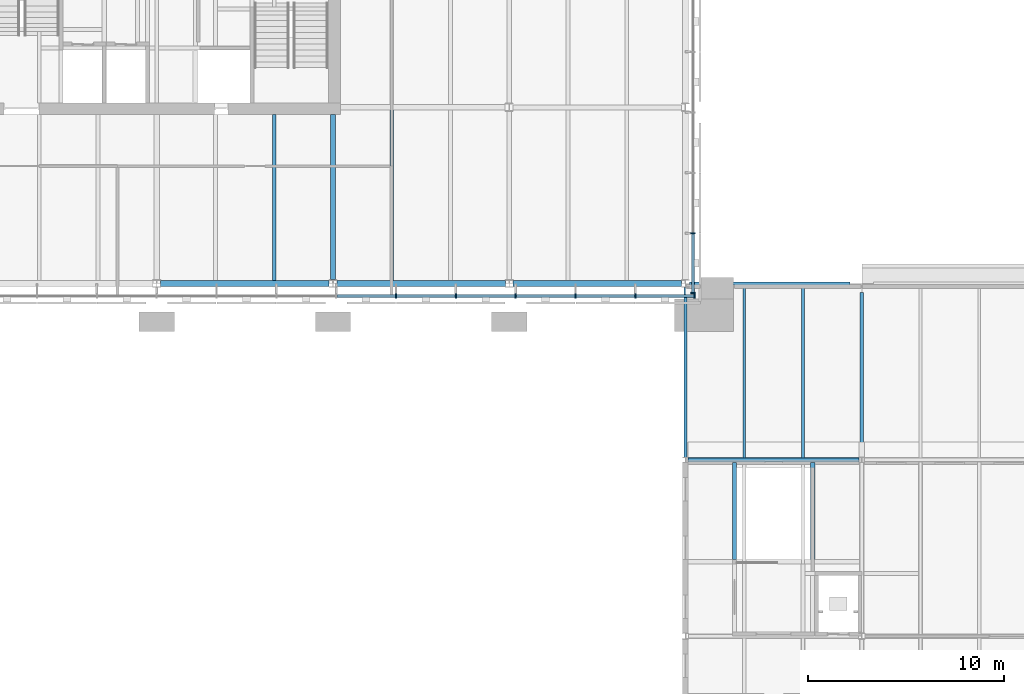
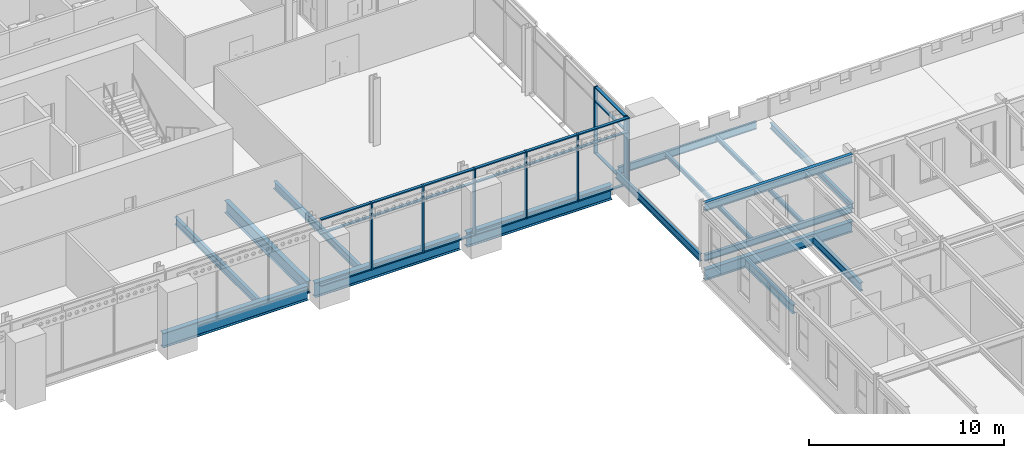
# One storey, part 32 of 123: 29 members, 16 beams, 2 elements without a shape of their own.
"""IFC4 building model written with IfcOpenShell, lengths in metres."""

from ifc_helpers import new_model, si_unit, direction, frame, origin, origin_2d, place, context, subcontext, project, spatial, rectangle, i_section, extrude, material, material_profile, profile_set, type_object, element, aggregate, save


model = new_model("IFC4")

# Units and contexts
model_context = context("Model", 3, precision=1e-05, world=origin(), true_north=direction((0.0, 1.0)))
body_context = subcontext(model_context, "Body", "Model", "MODEL_VIEW")
ifc_project = project(units=[si_unit("LENGTHUNIT", "METRE"), si_unit("AREAUNIT", "SQUARE_METRE"), si_unit("VOLUMEUNIT", "CUBIC_METRE"), si_unit("PLANEANGLEUNIT", "RADIAN"), si_unit("MASSUNIT", "GRAM", prefix="KILO")], contexts=[model_context])

# Site, building, storey
site_placement = place(None, origin())
site = spatial("IfcSite", under=ifc_project, at=site_placement, CompositionType="ELEMENT")
building_placement = place(site_placement, origin())
building = spatial("IfcBuilding", under=site, at=building_placement, Name="Baradari Gate Terminus", CompositionType="ELEMENT")
storey_placement = place(building_placement, frame((0.0, 0.0, 7.5)))
storey = spatial("IfcBuildingStorey", under=building, at=storey_placement, Name="L01", CompositionType="ELEMENT", Elevation=7.5)

# Beams
ifc_material_1 = material(Name="Steel S355", Category="steel")
ifc_material_profile_1 = material_profile(ifc_material_1, i_section(OverallWidth=0.17138671875, OverallDepth=0.35498046875, WebThickness=0.00732421875, FlangeThickness=0.011474609375, FilletRadius=0.01025390625, at=origin_2d()), Name="UB 356x171x51")
ifc_profile_set_1 = profile_set([ifc_material_profile_1], Name="Steel S355")
beam_type_1 = type_object("IfcBeamType", Name="Canopy cross beam B61 UB 356x171x51", PredefinedType="BEAM", material=ifc_profile_set_1)
beam_1_placement = place(storey_placement, frame((72.0, 108.130126953125, 0.6025390625), z_axis=(0.0, 1.0, 0.0), x_axis=(-1.0, 0.0, 0.0)))
element("IfcBeam", 1, at=beam_1_placement, inside=storey, type_object=beam_type_1, Name="Canopy cross beam B61 9:108.13-116.55 L01", PredefinedType="BEAM", context=body_context, shape_type="SweptSolid", body=[
    extrude(i_section(OverallWidth=0.17138671875, OverallDepth=0.35498046875, WebThickness=0.00732421875, FlangeThickness=0.011474609375, FilletRadius=0.01025390625, at=origin_2d()), origin(), (0.0, 0.0, 1.0), 8.419921875),
])
ifc_material_2 = material(Name="Steel S355", Category="steel")
ifc_material_profile_2 = material_profile(ifc_material_2, i_section(OverallWidth=0.1552734375, OverallDepth=0.4658203125, WebThickness=0.010498046875, FlangeThickness=0.018798828125, FilletRadius=0.01025390625, at=origin_2d()), Name="UB 457x152x82")
ifc_profile_set_2 = profile_set([ifc_material_profile_2], Name="Steel S355")
beam_type_2 = type_object("IfcBeamType", Name="Canopy edge beam B59 UB 457x152x82", PredefinedType="BEAM", material=ifc_profile_set_2)
beam_2_placement = place(storey_placement, frame((63.199462890625, 117.0, 0.547119140625), z_axis=(1.0, 0.0, 0.0), x_axis=(0.0, 1.0, 0.0)))
element("IfcBeam", 2, at=beam_2_placement, inside=storey, type_object=beam_type_2, Name="Canopy edge beam B59 P:63.2-71.4 L01", PredefinedType="BEAM", context=body_context, shape_type="SweptSolid", body=[
    extrude(i_section(OverallWidth=0.1552734375, OverallDepth=0.4658203125, WebThickness=0.010498046875, FlangeThickness=0.018798828125, FilletRadius=0.01025390625, at=origin_2d()), origin(), (0.0, 0.0, 1.0), 8.200439453125),
])
beam_3_placement = place(storey_placement, frame((63.0, 108.130126953125, 0.547119140625), z_axis=(0.0, 1.0, 0.0), x_axis=(-1.0, 0.0, 0.0)))
element("IfcBeam", 3, at=beam_3_placement, inside=storey, type_object=beam_type_2, Name="Canopy edge beam B59 8:108.13-116.803 L01", PredefinedType="BEAM", context=body_context, shape_type="SweptSolid", body=[
    extrude(i_section(OverallWidth=0.1552734375, OverallDepth=0.4658203125, WebThickness=0.010498046875, FlangeThickness=0.018798828125, FilletRadius=0.01025390625, at=origin_2d()), origin(), (0.0, 0.0, 1.0), 8.673095703125),
])
ifc_material_3 = material(Name="Steel S355", Category="steel")
ifc_material_profile_3 = material_profile(ifc_material_3, i_section(OverallWidth=0.177978515625, OverallDepth=0.406494140625, WebThickness=0.0078125, FlangeThickness=0.0126953125, FilletRadius=0.01025390625, at=origin_2d()), Name="UB 406x178x60")
ifc_profile_set_3 = profile_set([ifc_material_profile_3], Name="Steel S355")
beam_type_3 = type_object("IfcBeamType", Name="Canopy girder B58 UB 406x178x60", PredefinedType="BEAM", material=ifc_profile_set_3)
beam_4_placement = place(storey_placement, frame((63.128173828125, 108.0, 0.576904296875), z_axis=(1.0, 0.0, 0.0), x_axis=(0.0, 1.0, 0.0)))
element("IfcBeam", 4, at=beam_4_placement, inside=storey, type_object=beam_type_3, Name="Canopy girder B58 N:63.128-71.872 L01", PredefinedType="BEAM", context=body_context, shape_type="SweptSolid", body=[
    extrude(i_section(OverallWidth=0.177978515625, OverallDepth=0.406494140625, WebThickness=0.0078125, FlangeThickness=0.0126953125, FilletRadius=0.01025390625, at=origin_2d()), origin(), (0.0, 0.0, 1.0), 8.74365234375),
])
ifc_material_4 = material(Name="Steel S355", Category="steel")
ifc_material_profile_4 = material_profile(ifc_material_4, i_section(OverallWidth=0.14599609375, OverallDepth=0.25146484375, WebThickness=0.006103515625, FlangeThickness=0.008544921875, FilletRadius=0.007568359375, at=origin_2d()), Name="UB 254x146x31")
ifc_profile_set_4 = profile_set([ifc_material_profile_4], Name="Steel S355")
beam_type_4 = type_object("IfcBeamType", Name="Canopy secondary beam B60 UB 254x146x31", PredefinedType="BEAM", material=ifc_profile_set_4)
for number, where, z_axis, x_axis, name in (
    (5, (66.0, 108.0888671875, 0.654296875), (0.0, 1.0, 0.0), (-1.0, 0.0, 0.0), "Canopy secondary beam B60 66:108.089-116.922 L01"),
    (6, (69.0, 108.0888671875, 0.654296875), (0.0, 1.0, 0.0), (-1.0, 0.0, 0.0), "Canopy secondary beam B60 69:108.089-116.922 L01"),
):
    element("IfcBeam", number, at=place(storey_placement, frame(where, z_axis=z_axis, x_axis=x_axis)), inside=storey, type_object=beam_type_4, Name=name, PredefinedType="BEAM", context=body_context, shape_type="SweptSolid", body=[
        extrude(i_section(OverallWidth=0.14599609375, OverallDepth=0.25146484375, WebThickness=0.006103515625, FlangeThickness=0.008544921875, FilletRadius=0.007568359375, at=origin_2d()), origin(), (0.0, 0.0, 1.0), 8.83349609375),
    ])

# Curtain wall, members
ifc_material_5 = material(Name="Aluminium 6063-T6", Category="aluminium")
curtain_wall_type = type_object("IfcCurtainWallType", Name="Curtain wall CW-9 block gallery storey", PredefinedType="NOTDEFINED", material=ifc_material_5)
curtain_wall_1_placement = place(storey_placement, origin())
curtain_wall_1 = element("IfcCurtainWall", 7, at=curtain_wall_1_placement, inside=storey, type_object=curtain_wall_type, Name="Curtain wall CW-9 Operations block S face L01", PredefinedType="NOTDEFINED")
ifc_material_6 = material(Name="Aluminium 6063-T6", Category="aluminium")
ifc_material_profile_5 = material_profile(ifc_material_6, rectangle(XDim=0.22509765625, YDim=0.070068359375, at=origin_2d()), Name="CM-9 70X225")
ifc_profile_set_5 = profile_set([ifc_material_profile_5], Name="Aluminium 6063-T6")
member_type_1 = type_object("IfcMemberType", Name="Curtain wall mullion CM-9 70x225", PredefinedType="MULLION", material=ifc_profile_set_5)
member_1_placement = place(storey_placement, frame((48.219970703125, 116.367431640625, 0.0), z_axis=(0.0, 0.0, 1.0), x_axis=(0.0, 1.0, 0.0)))
member_1 = element("IfcMember", 8, at=member_1_placement, type_object=member_type_1, Name="CW-9 mullion 14", PredefinedType="MULLION", context=body_context, shape_type="SweptSolid", body=[
    extrude(rectangle(XDim=0.22509765625, YDim=0.070068359375, at=origin_2d()), origin(), (0.0, 0.0, 1.0), 4.199951171875),
])
member_2_placement = place(storey_placement, frame((51.27490234375, 116.367431640625, 0.0), z_axis=(0.0, 0.0, 1.0), x_axis=(0.0, 1.0, 0.0)))
member_2 = element("IfcMember", 9, at=member_2_placement, type_object=member_type_1, Name="CW-9 mullion 15", PredefinedType="MULLION", context=body_context, shape_type="SweptSolid", body=[
    extrude(rectangle(XDim=0.22509765625, YDim=0.070068359375, at=origin_2d()), origin(), (0.0, 0.0, 1.0), 4.199951171875),
])
member_3_placement = place(storey_placement, frame((54.330078125, 116.367431640625, 0.0), z_axis=(0.0, 0.0, 1.0), x_axis=(0.0, 1.0, 0.0)))
member_3 = element("IfcMember", 10, at=member_3_placement, type_object=member_type_1, Name="CW-9 mullion 16", PredefinedType="MULLION", context=body_context, shape_type="SweptSolid", body=[
    extrude(rectangle(XDim=0.22509765625, YDim=0.070068359375, at=origin_2d()), origin(), (0.0, 0.0, 1.0), 4.199951171875),
])
member_4_placement = place(storey_placement, frame((57.385009765625, 116.367431640625, 0.0), z_axis=(0.0, 0.0, 1.0), x_axis=(0.0, 1.0, 0.0)))
member_4 = element("IfcMember", 11, at=member_4_placement, type_object=member_type_1, Name="CW-9 mullion 17", PredefinedType="MULLION", context=body_context, shape_type="SweptSolid", body=[
    extrude(rectangle(XDim=0.22509765625, YDim=0.070068359375, at=origin_2d()), origin(), (0.0, 0.0, 1.0), 4.199951171875),
])
member_5_placement = place(storey_placement, frame((60.43994140625, 116.367431640625, 0.0), z_axis=(0.0, 0.0, 1.0), x_axis=(0.0, 1.0, 0.0)))
member_5 = element("IfcMember", 12, at=member_5_placement, type_object=member_type_1, Name="CW-9 mullion 18", PredefinedType="MULLION", context=body_context, shape_type="SweptSolid", body=[
    extrude(rectangle(XDim=0.22509765625, YDim=0.070068359375, at=origin_2d()), origin(), (0.0, 0.0, 1.0), 4.199951171875),
])
member_6_placement = place(storey_placement, frame((63.4599609375, 116.367431640625, 0.0), z_axis=(0.0, 0.0, 1.0), x_axis=(0.0, 1.0, 0.0)))
member_6 = element("IfcMember", 13, at=member_6_placement, type_object=member_type_1, Name="CW-9 mullion 19", PredefinedType="MULLION", context=body_context, shape_type="SweptSolid", body=[
    extrude(rectangle(XDim=0.22509765625, YDim=0.070068359375, at=origin_2d()), origin(), (0.0, 0.0, 1.0), 4.199951171875),
])

curtain_wall_2_placement = place(storey_placement, origin())
curtain_wall_2 = element("IfcCurtainWall", 14, at=curtain_wall_2_placement, inside=storey, type_object=curtain_wall_type, Name="Curtain wall CW-9 Operations block E face L01", PredefinedType="NOTDEFINED")
member_7_placement = place(storey_placement, frame((63.382568359375, 116.514892578125, 0.0), z_axis=(0.0, 0.0, 1.0), x_axis=(-1.0, 0.0, 0.0)))
member_7 = element("IfcMember", 15, at=member_7_placement, type_object=member_type_1, Name="CW-9 mullion 1", PredefinedType="MULLION", context=body_context, shape_type="SweptSolid", body=[
    extrude(rectangle(XDim=0.22509765625, YDim=0.070068359375, at=origin_2d()), origin(), (0.0, 0.0, 1.0), 4.199951171875),
])
member_8_placement = place(storey_placement, frame((63.382568359375, 119.56787109375, 0.0), z_axis=(0.0, 0.0, 1.0), x_axis=(-1.0, 0.0, 0.0)))
member_8 = element("IfcMember", 16, at=member_8_placement, type_object=member_type_1, Name="CW-9 mullion 2", PredefinedType="MULLION", context=body_context, shape_type="SweptSolid", body=[
    extrude(rectangle(XDim=0.22509765625, YDim=0.070068359375, at=origin_2d()), origin(), (0.0, 0.0, 1.0), 4.199951171875),
])

# Member
ifc_material_7 = material(Name="Aluminium 6063-T6", Category="aluminium")
ifc_material_profile_6 = material_profile(ifc_material_7, rectangle(XDim=0.1650390625, YDim=0.070068359375, at=origin_2d()), Name="CT-9 70X165")
ifc_profile_set_6 = profile_set([ifc_material_profile_6], Name="Aluminium 6063-T6")
member_type_2 = type_object("IfcMemberType", Name="Curtain wall transom CT-9 70x165", PredefinedType="USERDEFINED", material=ifc_profile_set_6)
member_9_placement = place(storey_placement, frame((45.199951171875, 116.367431640625, 0.034912109375), z_axis=(1.0, 0.0, 0.0), x_axis=(0.0, 1.0, 0.0)))
member_9 = element("IfcMember", 17, at=member_9_placement, type_object=member_type_2, Name="CW-9 transom 13.1", ObjectType="TRANSOM", PredefinedType="USERDEFINED", context=body_context, shape_type="SweptSolid", body=[
    extrude(rectangle(XDim=0.1650390625, YDim=0.070068359375, at=origin_2d()), origin(), (0.0, 0.0, 1.0), 2.985107421875),
])

member_10_placement = place(storey_placement, frame((45.199951171875, 116.367431640625, 3.300048828125), z_axis=(1.0, 0.0, 0.0), x_axis=(0.0, 1.0, 0.0)))
member_10 = element("IfcMember", 18, at=member_10_placement, type_object=member_type_2, Name="CW-9 transom 13.2", ObjectType="TRANSOM", PredefinedType="USERDEFINED", context=body_context, shape_type="SweptSolid", body=[
    extrude(rectangle(XDim=0.1650390625, YDim=0.070068359375, at=origin_2d()), origin(), (0.0, 0.0, 1.0), 2.985107421875),
])

member_11_placement = place(storey_placement, frame((45.199951171875, 116.367431640625, 4.1650390625), z_axis=(1.0, 0.0, 0.0), x_axis=(0.0, 1.0, 0.0)))
member_11 = element("IfcMember", 19, at=member_11_placement, type_object=member_type_2, Name="CW-9 transom 13.3", ObjectType="TRANSOM", PredefinedType="USERDEFINED", context=body_context, shape_type="SweptSolid", body=[
    extrude(rectangle(XDim=0.1650390625, YDim=0.070068359375, at=origin_2d()), origin(), (0.0, 0.0, 1.0), 2.985107421875),
])

member_12_placement = place(storey_placement, frame((48.2548828125, 116.367431640625, 0.034912109375), z_axis=(1.0, 0.0, 0.0), x_axis=(0.0, 1.0, 0.0)))
member_12 = element("IfcMember", 20, at=member_12_placement, type_object=member_type_2, Name="CW-9 transom 14.1", ObjectType="TRANSOM", PredefinedType="USERDEFINED", context=body_context, shape_type="SweptSolid", body=[
    extrude(rectangle(XDim=0.1650390625, YDim=0.070068359375, at=origin_2d()), origin(), (0.0, 0.0, 1.0), 2.985107421875),
])

member_13_placement = place(storey_placement, frame((48.2548828125, 116.367431640625, 3.300048828125), z_axis=(1.0, 0.0, 0.0), x_axis=(0.0, 1.0, 0.0)))
member_13 = element("IfcMember", 21, at=member_13_placement, type_object=member_type_2, Name="CW-9 transom 14.2", ObjectType="TRANSOM", PredefinedType="USERDEFINED", context=body_context, shape_type="SweptSolid", body=[
    extrude(rectangle(XDim=0.1650390625, YDim=0.070068359375, at=origin_2d()), origin(), (0.0, 0.0, 1.0), 2.985107421875),
])

member_14_placement = place(storey_placement, frame((48.2548828125, 116.367431640625, 4.1650390625), z_axis=(1.0, 0.0, 0.0), x_axis=(0.0, 1.0, 0.0)))
member_14 = element("IfcMember", 22, at=member_14_placement, type_object=member_type_2, Name="CW-9 transom 14.3", ObjectType="TRANSOM", PredefinedType="USERDEFINED", context=body_context, shape_type="SweptSolid", body=[
    extrude(rectangle(XDim=0.1650390625, YDim=0.070068359375, at=origin_2d()), origin(), (0.0, 0.0, 1.0), 2.985107421875),
])

member_15_placement = place(storey_placement, frame((51.31005859375, 116.367431640625, 0.034912109375), z_axis=(1.0, 0.0, 0.0), x_axis=(0.0, 1.0, 0.0)))
member_15 = element("IfcMember", 23, at=member_15_placement, type_object=member_type_2, Name="CW-9 transom 15.1", ObjectType="TRANSOM", PredefinedType="USERDEFINED", context=body_context, shape_type="SweptSolid", body=[
    extrude(rectangle(XDim=0.1650390625, YDim=0.070068359375, at=origin_2d()), origin(), (0.0, 0.0, 1.0), 2.98486328125),
])

member_16_placement = place(storey_placement, frame((51.31005859375, 116.367431640625, 3.300048828125), z_axis=(1.0, 0.0, 0.0), x_axis=(0.0, 1.0, 0.0)))
member_16 = element("IfcMember", 24, at=member_16_placement, type_object=member_type_2, Name="CW-9 transom 15.2", ObjectType="TRANSOM", PredefinedType="USERDEFINED", context=body_context, shape_type="SweptSolid", body=[
    extrude(rectangle(XDim=0.1650390625, YDim=0.070068359375, at=origin_2d()), origin(), (0.0, 0.0, 1.0), 2.98486328125),
])

member_17_placement = place(storey_placement, frame((51.31005859375, 116.367431640625, 4.1650390625), z_axis=(1.0, 0.0, 0.0), x_axis=(0.0, 1.0, 0.0)))
member_17 = element("IfcMember", 25, at=member_17_placement, type_object=member_type_2, Name="CW-9 transom 15.3", ObjectType="TRANSOM", PredefinedType="USERDEFINED", context=body_context, shape_type="SweptSolid", body=[
    extrude(rectangle(XDim=0.1650390625, YDim=0.070068359375, at=origin_2d()), origin(), (0.0, 0.0, 1.0), 2.98486328125),
])

member_18_placement = place(storey_placement, frame((54.364990234375, 116.367431640625, 0.034912109375), z_axis=(1.0, 0.0, 0.0), x_axis=(0.0, 1.0, 0.0)))
member_18 = element("IfcMember", 26, at=member_18_placement, type_object=member_type_2, Name="CW-9 transom 16.1", ObjectType="TRANSOM", PredefinedType="USERDEFINED", context=body_context, shape_type="SweptSolid", body=[
    extrude(rectangle(XDim=0.1650390625, YDim=0.070068359375, at=origin_2d()), origin(), (0.0, 0.0, 1.0), 2.985107421875),
])

member_19_placement = place(storey_placement, frame((54.364990234375, 116.367431640625, 3.300048828125), z_axis=(1.0, 0.0, 0.0), x_axis=(0.0, 1.0, 0.0)))
member_19 = element("IfcMember", 27, at=member_19_placement, type_object=member_type_2, Name="CW-9 transom 16.2", ObjectType="TRANSOM", PredefinedType="USERDEFINED", context=body_context, shape_type="SweptSolid", body=[
    extrude(rectangle(XDim=0.1650390625, YDim=0.070068359375, at=origin_2d()), origin(), (0.0, 0.0, 1.0), 2.985107421875),
])

member_20_placement = place(storey_placement, frame((54.364990234375, 116.367431640625, 4.1650390625), z_axis=(1.0, 0.0, 0.0), x_axis=(0.0, 1.0, 0.0)))
member_20 = element("IfcMember", 28, at=member_20_placement, type_object=member_type_2, Name="CW-9 transom 16.3", ObjectType="TRANSOM", PredefinedType="USERDEFINED", context=body_context, shape_type="SweptSolid", body=[
    extrude(rectangle(XDim=0.1650390625, YDim=0.070068359375, at=origin_2d()), origin(), (0.0, 0.0, 1.0), 2.985107421875),
])

member_21_placement = place(storey_placement, frame((57.419921875, 116.367431640625, 0.034912109375), z_axis=(1.0, 0.0, 0.0), x_axis=(0.0, 1.0, 0.0)))
member_21 = element("IfcMember", 29, at=member_21_placement, type_object=member_type_2, Name="CW-9 transom 17.1", ObjectType="TRANSOM", PredefinedType="USERDEFINED", context=body_context, shape_type="SweptSolid", body=[
    extrude(rectangle(XDim=0.1650390625, YDim=0.070068359375, at=origin_2d()), origin(), (0.0, 0.0, 1.0), 2.985107421875),
])

member_22_placement = place(storey_placement, frame((57.419921875, 116.367431640625, 3.300048828125), z_axis=(1.0, 0.0, 0.0), x_axis=(0.0, 1.0, 0.0)))
member_22 = element("IfcMember", 30, at=member_22_placement, type_object=member_type_2, Name="CW-9 transom 17.2", ObjectType="TRANSOM", PredefinedType="USERDEFINED", context=body_context, shape_type="SweptSolid", body=[
    extrude(rectangle(XDim=0.1650390625, YDim=0.070068359375, at=origin_2d()), origin(), (0.0, 0.0, 1.0), 2.985107421875),
])

member_23_placement = place(storey_placement, frame((57.419921875, 116.367431640625, 4.1650390625), z_axis=(1.0, 0.0, 0.0), x_axis=(0.0, 1.0, 0.0)))
member_23 = element("IfcMember", 31, at=member_23_placement, type_object=member_type_2, Name="CW-9 transom 17.3", ObjectType="TRANSOM", PredefinedType="USERDEFINED", context=body_context, shape_type="SweptSolid", body=[
    extrude(rectangle(XDim=0.1650390625, YDim=0.070068359375, at=origin_2d()), origin(), (0.0, 0.0, 1.0), 2.985107421875),
])

member_24_placement = place(storey_placement, frame((60.47509765625, 116.367431640625, 0.034912109375), z_axis=(1.0, 0.0, 0.0), x_axis=(0.0, 1.0, 0.0)))
member_24 = element("IfcMember", 32, at=member_24_placement, type_object=member_type_2, Name="CW-9 transom 18.1", ObjectType="TRANSOM", PredefinedType="USERDEFINED", context=body_context, shape_type="SweptSolid", body=[
    extrude(rectangle(XDim=0.1650390625, YDim=0.070068359375, at=origin_2d()), origin(), (0.0, 0.0, 1.0), 2.949951171875),
])

member_25_placement = place(storey_placement, frame((60.47509765625, 116.367431640625, 3.300048828125), z_axis=(1.0, 0.0, 0.0), x_axis=(0.0, 1.0, 0.0)))
member_25 = element("IfcMember", 33, at=member_25_placement, type_object=member_type_2, Name="CW-9 transom 18.2", ObjectType="TRANSOM", PredefinedType="USERDEFINED", context=body_context, shape_type="SweptSolid", body=[
    extrude(rectangle(XDim=0.1650390625, YDim=0.070068359375, at=origin_2d()), origin(), (0.0, 0.0, 1.0), 2.949951171875),
])

member_26_placement = place(storey_placement, frame((60.47509765625, 116.367431640625, 4.1650390625), z_axis=(1.0, 0.0, 0.0), x_axis=(0.0, 1.0, 0.0)))
member_26 = element("IfcMember", 34, at=member_26_placement, type_object=member_type_2, Name="CW-9 transom 18.3", ObjectType="TRANSOM", PredefinedType="USERDEFINED", context=body_context, shape_type="SweptSolid", body=[
    extrude(rectangle(XDim=0.1650390625, YDim=0.070068359375, at=origin_2d()), origin(), (0.0, 0.0, 1.0), 2.949951171875),
])

aggregate(curtain_wall_1, [member_1, member_2, member_3, member_4, member_5, member_6, member_9, member_10, member_11, member_12, member_13, member_14, member_15, member_16, member_17, member_18, member_19, member_20, member_21, member_22, member_23, member_24, member_25, member_26])

member_27_placement = place(storey_placement, frame((63.382568359375, 116.550048828125, 0.034912109375), z_axis=(0.0, 1.0, 0.0), x_axis=(-1.0, 0.0, 0.0)))
member_27 = element("IfcMember", 35, at=member_27_placement, type_object=member_type_2, Name="CW-9 transom 1.1", ObjectType="TRANSOM", PredefinedType="USERDEFINED", context=body_context, shape_type="SweptSolid", body=[
    extrude(rectangle(XDim=0.1650390625, YDim=0.070068359375, at=origin_2d()), origin(), (0.0, 0.0, 1.0), 2.982666015625),
])

member_28_placement = place(storey_placement, frame((63.382568359375, 116.550048828125, 3.300048828125), z_axis=(0.0, 1.0, 0.0), x_axis=(-1.0, 0.0, 0.0)))
member_28 = element("IfcMember", 36, at=member_28_placement, type_object=member_type_2, Name="CW-9 transom 1.2", ObjectType="TRANSOM", PredefinedType="USERDEFINED", context=body_context, shape_type="SweptSolid", body=[
    extrude(rectangle(XDim=0.1650390625, YDim=0.070068359375, at=origin_2d()), origin(), (0.0, 0.0, 1.0), 2.982666015625),
])

member_29_placement = place(storey_placement, frame((63.382568359375, 116.550048828125, 4.1650390625), z_axis=(0.0, 1.0, 0.0), x_axis=(-1.0, 0.0, 0.0)))
member_29 = element("IfcMember", 37, at=member_29_placement, type_object=member_type_2, Name="CW-9 transom 1.3", ObjectType="TRANSOM", PredefinedType="USERDEFINED", context=body_context, shape_type="SweptSolid", body=[
    extrude(rectangle(XDim=0.1650390625, YDim=0.070068359375, at=origin_2d()), origin(), (0.0, 0.0, 1.0), 2.982666015625),
])

aggregate(curtain_wall_2, [member_7, member_8, member_27, member_28, member_29])

# Beams
ifc_material_8 = material(Name="Steel S355", Category="steel")
ifc_material_profile_7 = material_profile(ifc_material_8, i_section(OverallWidth=0.2529296875, OverallDepth=0.677978515625, WebThickness=0.01171875, FlangeThickness=0.01611328125, FilletRadius=0.01513671875, at=origin_2d()), Name="UB 686x254x125")
ifc_profile_set_7 = profile_set([ifc_material_profile_7], Name="Steel S355")
beam_type_5 = type_object("IfcBeamType", Name="Head-house edge girder B07 UB 686x254x125", PredefinedType="BEAM", material=ifc_profile_set_7)
beam_5_placement = place(storey_placement, frame((63.128173828125, 108.0, -0.468994140625), z_axis=(1.0, 0.0, 0.0), x_axis=(0.0, 1.0, 0.0)))
element("IfcBeam", 38, at=beam_5_placement, inside=storey, type_object=beam_type_5, Name="Head-house edge girder B07 N:63.128-71.872 L01", PredefinedType="BEAM", context=body_context, shape_type="SweptSolid", body=[
    extrude(i_section(OverallWidth=0.2529296875, OverallDepth=0.677978515625, WebThickness=0.01171875, FlangeThickness=0.01611328125, FilletRadius=0.01513671875, at=origin_2d()), origin(), (0.0, 0.0, 1.0), 8.74365234375),
])
ifc_material_9 = material(Name="Steel S355", Category="steel")
ifc_material_profile_8 = material_profile(ifc_material_9, i_section(OverallWidth=0.209228515625, OverallDepth=0.533203125, WebThickness=0.010009765625, FlangeThickness=0.015625, FilletRadius=0.0126953125, at=origin_2d()), Name="UB 533x210x92")
ifc_profile_set_8 = profile_set([ifc_material_profile_8], Name="Steel S355")
beam_type_6 = type_object("IfcBeamType", Name="Head-house roof edge girder B48 UB 533x210x92", PredefinedType="BEAM", material=ifc_profile_set_8)
beam_6_placement = place(storey_placement, frame((63.128173828125, 108.0, 3.783447265625), z_axis=(1.0, 0.0, 0.0), x_axis=(0.0, 1.0, 0.0)))
element("IfcBeam", 39, at=beam_6_placement, inside=storey, type_object=beam_type_6, Name="Head-house roof edge girder B48 N:63.128-71.872 L01", PredefinedType="BEAM", context=body_context, shape_type="SweptSolid", body=[
    extrude(i_section(OverallWidth=0.209228515625, OverallDepth=0.533203125, WebThickness=0.010009765625, FlangeThickness=0.015625, FilletRadius=0.0126953125, at=origin_2d()), origin(), (0.0, 0.0, 1.0), 8.74365234375),
])
ifc_material_10 = material(Name="Steel S355", Category="steel")
ifc_material_profile_9 = material_profile(ifc_material_10, i_section(OverallWidth=0.209228515625, OverallDepth=0.533203125, WebThickness=0.010009765625, FlangeThickness=0.015625, FilletRadius=0.0126953125, at=origin_2d()), Name="UB 533x210x92")
ifc_profile_set_9 = profile_set([ifc_material_profile_9], Name="Steel S355")
beam_type_7 = type_object("IfcBeamType", Name="Head-house trimmer beam B08 UB 533x210x92", PredefinedType="BEAM", material=ifc_profile_set_9)
for number, where, z_axis, x_axis, name in (
    (40, (65.4951171875, 102.90478515625, -0.396484375), (0.0, 1.0, 0.0), (-1.0, 0.0, 0.0), "Head-house trimmer beam B08 65.495:102.905-107.874 L01"),
    (41, (69.5, 102.90478515625, -0.396484375), (0.0, 1.0, 0.0), (-1.0, 0.0, 0.0), "Head-house trimmer beam B08 69.5:102.905-107.874 L01"),
):
    element("IfcBeam", number, at=place(storey_placement, frame(where, z_axis=z_axis, x_axis=x_axis)), inside=storey, type_object=beam_type_7, Name=name, PredefinedType="BEAM", context=body_context, shape_type="SweptSolid", body=[
        extrude(i_section(OverallWidth=0.209228515625, OverallDepth=0.533203125, WebThickness=0.010009765625, FlangeThickness=0.015625, FilletRadius=0.0126953125, at=origin_2d()), origin(), (0.0, 0.0, 1.0), 4.96875),
    ])
ifc_material_11 = material(Name="Steel S355", Category="steel")
ifc_material_profile_10 = material_profile(ifc_material_11, i_section(OverallWidth=0.26806640625, OverallDepth=0.769775390625, WebThickness=0.015625, FlangeThickness=0.025390625, FilletRadius=0.0166015625, at=origin_2d()), Name="UB 762x267x197")
ifc_profile_set_10 = profile_set([ifc_material_profile_10], Name="Steel S355")
beam_type_8 = type_object("IfcBeamType", Name="Operations block coupling beam B03 UB 762x267x197", PredefinedType="BEAM", material=ifc_profile_set_10)
beam_7_placement = place(storey_placement, frame((45.0, 117.19677734375, -0.514892578125), z_axis=(0.0, 1.0, 0.0), x_axis=(-1.0, 0.0, 0.0)))
element("IfcBeam", 42, at=beam_7_placement, inside=storey, type_object=beam_type_8, Name="Operations block coupling beam B03 6:117.197-125.625 L01", PredefinedType="BEAM", context=body_context, shape_type="SweptSolid", body=[
    extrude(i_section(OverallWidth=0.26806640625, OverallDepth=0.769775390625, WebThickness=0.015625, FlangeThickness=0.025390625, FilletRadius=0.0166015625, at=origin_2d()), origin(), (0.0, 0.0, 1.0), 8.42822265625),
])
ifc_material_12 = material(Name="Steel S355", Category="steel")
ifc_material_profile_11 = material_profile(ifc_material_12, i_section(OverallWidth=0.30419921875, OverallDepth=0.910400390625, WebThickness=0.015869140625, FlangeThickness=0.02392578125, FilletRadius=0.01904296875, at=origin_2d()), Name="UB 914x305x224")
ifc_profile_set_11 = profile_set([ifc_material_profile_11], Name="Steel S355")
beam_type_9 = type_object("IfcBeamType", Name="Operations block moment frame beam B01 UB 914x305x224", PredefinedType="BEAM", material=ifc_profile_set_11)
for number, where, z_axis, x_axis, name in (
    (43, (36.199462890625, 117.0, -0.585205078125), (1.0, 0.0, 0.0), (0.0, 1.0, 0.0), "Operations block moment frame beam B01 P:36.2-44.8 L01"),
    (44, (45.199462890625, 117.0, -0.585205078125), (1.0, 0.0, 0.0), (0.0, 1.0, 0.0), "Operations block moment frame beam B01 P:45.2-53.8 L01"),
    (45, (54.199462890625, 117.0, -0.585205078125), (1.0, 0.0, 0.0), (0.0, 1.0, 0.0), "Operations block moment frame beam B01 P:54.2-62.8 L01"),
):
    element("IfcBeam", number, at=place(storey_placement, frame(where, z_axis=z_axis, x_axis=x_axis)), inside=storey, type_object=beam_type_9, Name=name, PredefinedType="BEAM", context=body_context, shape_type="SweptSolid", body=[
        extrude(i_section(OverallWidth=0.30419921875, OverallDepth=0.910400390625, WebThickness=0.015869140625, FlangeThickness=0.02392578125, FilletRadius=0.01904296875, at=origin_2d()), origin(), (0.0, 0.0, 1.0), 8.60107421875),
    ])
ifc_material_13 = material(Name="Steel S355", Category="steel")
ifc_material_profile_12 = material_profile(ifc_material_13, i_section(OverallWidth=0.19140625, OverallDepth=0.4599609375, WebThickness=0.010009765625, FlangeThickness=0.01611328125, FilletRadius=0.01025390625, at=origin_2d()), Name="UB 457x191x82")
ifc_profile_set_12 = profile_set([ifc_material_profile_12], Name="Steel S355")
beam_type_10 = type_object("IfcBeamType", Name="Operations block secondary beam B05 UB 457x191x82", PredefinedType="BEAM", material=ifc_profile_set_12)
beam_8_placement = place(storey_placement, frame((42.0, 117.152099609375, -0.360107421875), z_axis=(0.0, 1.0, 0.0), x_axis=(-1.0, 0.0, 0.0)))
element("IfcBeam", 46, at=beam_8_placement, inside=storey, type_object=beam_type_10, Name="Operations block secondary beam B05 42:117.152-125.625 L01", PredefinedType="BEAM", context=body_context, shape_type="SweptSolid", body=[
    extrude(i_section(OverallWidth=0.19140625, OverallDepth=0.4599609375, WebThickness=0.010009765625, FlangeThickness=0.01611328125, FilletRadius=0.01025390625, at=origin_2d()), origin(), (0.0, 0.0, 1.0), 8.472900390625),
])
beam_9_placement = place(storey_placement, frame((48.0, 117.152099609375, -0.360107421875), z_axis=(0.0, 1.0, 0.0), x_axis=(-1.0, 0.0, 0.0)))
element("IfcBeam", 47, at=beam_9_placement, inside=storey, type_object=beam_type_10, Name="Operations block secondary beam B05 48:117.152-125.866 L01", PredefinedType="BEAM", context=body_context, shape_type="SweptSolid", body=[
    extrude(i_section(OverallWidth=0.19140625, OverallDepth=0.4599609375, WebThickness=0.010009765625, FlangeThickness=0.01611328125, FilletRadius=0.01025390625, at=origin_2d()), origin(), (0.0, 0.0, 1.0), 8.7138671875),
])

save(model, "model.ifc")
